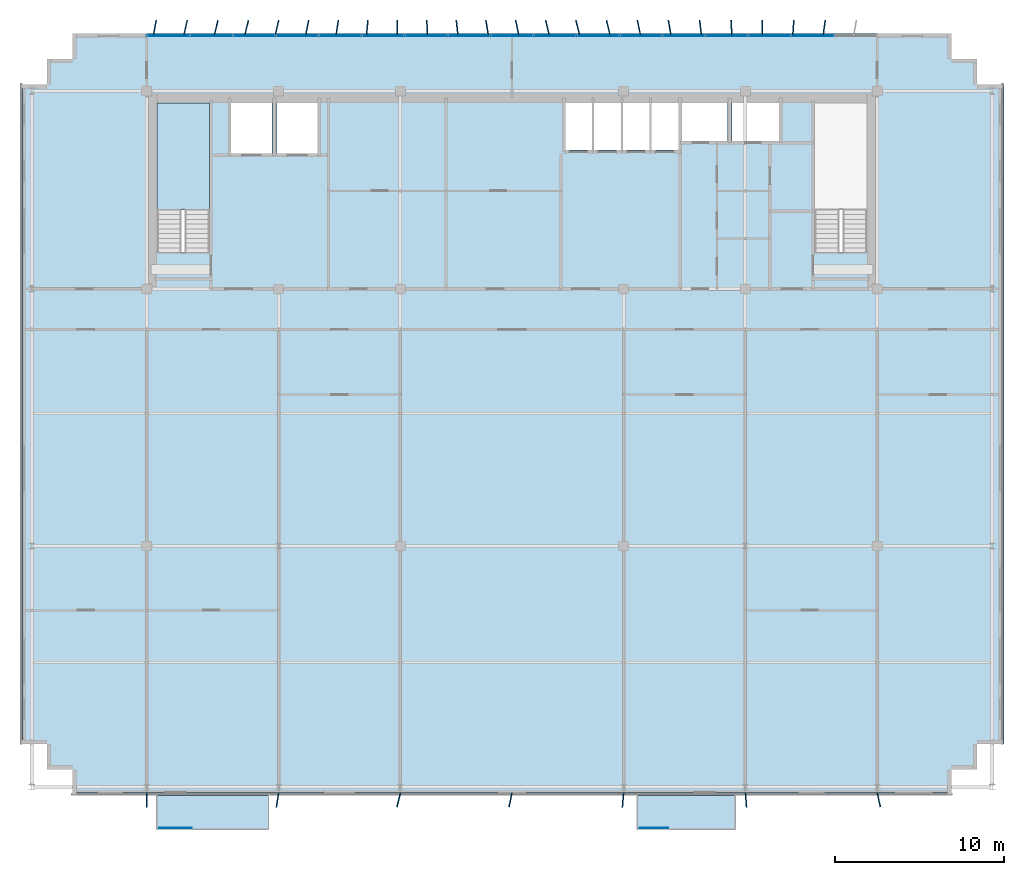
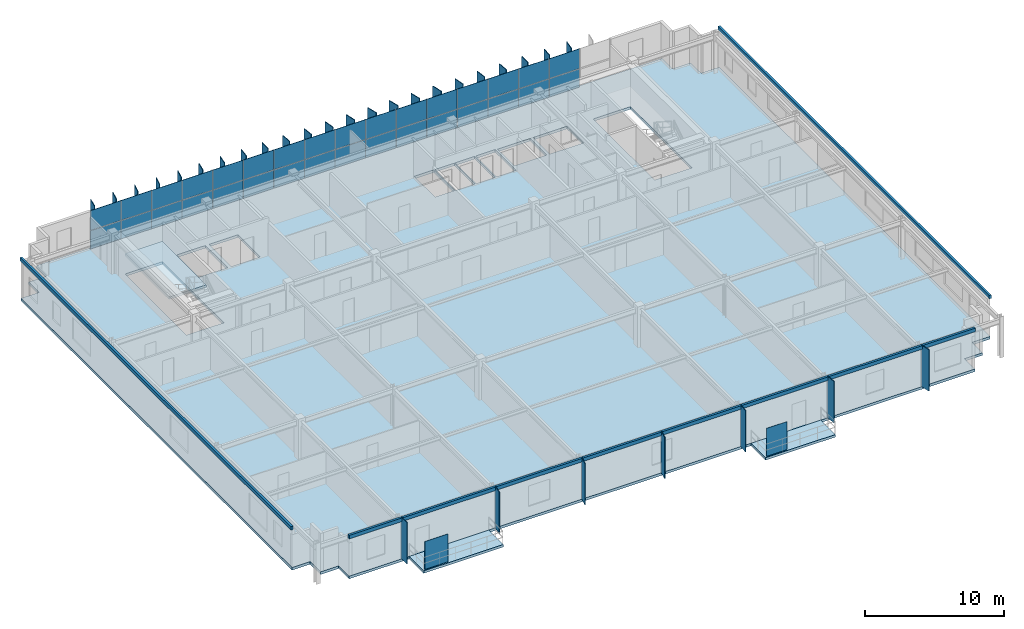
# One storey, part 15 of 21: 67 plates, 4 slabs, 2 elements without a shape of their own.
"""IFC4 building model written with IfcOpenShell, lengths in metres."""

from ifc_helpers import new_model, si_unit, direction, frame, origin, origin_2d, place, context, subcontext, project, spatial, polyline, rectangle, outline, extrude, source, transform, mapped, material, layer, layer_set, type_object, element, aggregate, save


model = new_model("IFC4")

# Units and contexts
model_context = context("Model", 3, precision=1e-05, world=origin(), true_north=direction((0.0, 1.0)))
body_context = subcontext(model_context, "Body", "Model", "MODEL_VIEW")
ifc_project = project(units=[si_unit("LENGTHUNIT", "METRE"), si_unit("AREAUNIT", "SQUARE_METRE"), si_unit("VOLUMEUNIT", "CUBIC_METRE"), si_unit("PLANEANGLEUNIT", "RADIAN"), si_unit("MASSUNIT", "GRAM", prefix="KILO")], contexts=[model_context])

# Site, building, storey
site_placement = place(None, origin())
site = spatial("IfcSite", under=ifc_project, at=site_placement, CompositionType="ELEMENT")
building_placement = place(site_placement, origin())
building = spatial("IfcBuilding", under=site, at=building_placement, Name="Trelvane Seafront Commons", CompositionType="ELEMENT")
storey_placement = place(building_placement, frame((0.0, 0.0, 255.89990234375)))
storey = spatial("IfcBuildingStorey", under=building, at=storey_placement, Name="L66", CompositionType="ELEMENT", Elevation=255.89990234375)

# Slabs
ifc_material_1 = material(Name="Concrete C40/50", Category="concrete")
ifc_layer_1 = layer(ifc_material_1, 0.219970703125, Name="ARCH-BALC-220")
ifc_layer_set_1 = layer_set([ifc_layer_1], Name="Concrete C40/50")
slab_type_1 = type_object("IfcSlabType", Name="ARCH-BALC-220", PredefinedType="FLOOR", material=ifc_layer_set_1)
slab_1_placement = place(storey_placement, frame((0.0, 0.0, -0.219970703125)))
element("IfcSlab", 1, at=slab_1_placement, inside=storey, type_object=slab_type_1, Name="L66 Cantilevered Tree Balcony Loggia 1", PredefinedType="FLOOR", context=body_context, shape_type="SweptSolid", body=[
    extrude(outline(polyline([(16.199951171875, 1.39990234375), (22.800048828125, 1.39990234375), (22.800048828125, 3.5), (16.199951171875, 3.5), (16.199951171875, 1.39990234375)])), origin(), (0.0, 0.0, 1.0), 0.219970703125),
])
slab_2_placement = place(storey_placement, frame((0.0, 0.0, -0.219970703125)))
element("IfcSlab", 2, at=slab_2_placement, inside=storey, type_object=slab_type_1, Name="L66 Cantilevered Tree Balcony Loggia 2", PredefinedType="FLOOR", context=body_context, shape_type="SweptSolid", body=[
    extrude(outline(polyline([(44.60009765625, 1.39990234375), (50.39990234375, 1.39990234375), (50.39990234375, 3.5), (44.60009765625, 3.5), (44.60009765625, 1.39990234375)])), origin(), (0.0, 0.0, 1.0), 0.219970703125),
])

# Stair, slab
stair_type = type_object("IfcStairType", Name="ARCH-STR-ST-1-R20-180", PredefinedType="HALF_TURN_STAIR", material=ifc_material_1)
stair_placement = place(storey_placement, origin())
stair = element("IfcStair", 3, at=stair_placement, inside=storey, type_object=stair_type, Name="L66 West Protected Firefighting Exit Stair ST-1", PredefinedType="HALF_TURN_STAIR")
ifc_layer_2 = layer(ifc_material_1, 0.199951171875, Name="ARCH-LND-200")
ifc_layer_set_2 = layer_set([ifc_layer_2], Name="Concrete C40/50")
slab_type_2 = type_object("IfcSlabType", Name="ARCH-LND-200", PredefinedType="LANDING", material=ifc_layer_set_2)
slab_3_placement = place(storey_placement, frame((0.0, 0.0, 1.60009765625)))
slab_3 = element("IfcSlab", 4, at=slab_3_placement, type_object=slab_type_2, Name="ST-1 landing 1", PredefinedType="LANDING", context=body_context, shape_type="SweptSolid", body=[
    extrude(outline(polyline([(19.300048828125, 38.070068359375), (19.300048828125, 44.39990234375), (16.199951171875, 44.39990234375), (16.199951171875, 38.070068359375), (19.300048828125, 38.070068359375)])), origin(), (0.0, 0.0, 1.0), 0.199951171875),
])
aggregate(stair, [slab_3])

# Slab
ifc_material_2 = material(Name="Concrete C50/60", Category="concrete")
ifc_layer_3 = layer(ifc_material_2, 0.22998046875, Name="STR-SLB-Z5-230")
ifc_layer_set_3 = layer_set([ifc_layer_3], Name="Concrete C50/60")
slab_type_3 = type_object("IfcSlabType", Name="STR-SLB-Z5-230", PredefinedType="FLOOR", material=ifc_layer_set_3)
slab_4_placement = place(storey_placement, frame((0.0, 0.0, -0.22998046875)))
element("IfcSlab", 5, at=slab_4_placement, inside=storey, type_object=slab_type_3, Name="L66 Structural Floor Slab", PredefinedType="FLOOR", context=body_context, shape_type="SweptSolid", body=[
    extrude(outline(polyline([(11.199951171875, 3.5), (63.199951171875, 3.5), (63.199951171875, 5.0), (64.699951171875, 5.0), (64.699951171875, 6.5), (66.199951171875, 6.5), (66.199951171875, 45.5), (64.699951171875, 45.5), (64.699951171875, 47.0), (63.199951171875, 47.0), (63.199951171875, 48.5), (11.199951171875, 48.5), (11.199951171875, 47.0), (9.699951171875, 47.0), (9.699951171875, 45.5), (8.199951171875, 45.5), (8.199951171875, 6.5), (9.699951171875, 6.5), (9.699951171875, 5.0), (11.199951171875, 5.0), (11.199951171875, 3.5)]), holes=[polyline([(19.300048828125, 35.550048828125), (16.199951171875, 35.550048828125), (16.199951171875, 44.39990234375), (19.300048828125, 44.39990234375), (19.300048828125, 35.550048828125)]), polyline([(58.199951171875, 35.550048828125), (55.10009765625, 35.550048828125), (55.10009765625, 44.39990234375), (58.199951171875, 44.39990234375), (58.199951171875, 35.550048828125)]), polyline([(23.0, 41.39990234375), (20.60009765625, 41.39990234375), (20.60009765625, 44.60009765625), (23.0, 44.60009765625), (23.0, 41.39990234375)]), polyline([(23.300048828125, 41.39990234375), (23.300048828125, 44.60009765625), (25.699951171875, 44.60009765625), (25.699951171875, 41.39990234375), (23.300048828125, 41.39990234375)]), polyline([(40.35009765625, 41.60009765625), (40.35009765625, 44.60009765625), (41.969970703125, 44.60009765625), (41.969970703125, 41.60009765625), (40.35009765625, 41.60009765625)]), polyline([(43.669921875, 41.60009765625), (42.050048828125, 41.60009765625), (42.050048828125, 44.60009765625), (43.669921875, 44.60009765625), (43.669921875, 41.60009765625)]), polyline([(45.3701171875, 41.60009765625), (43.75, 41.60009765625), (43.75, 44.60009765625), (45.3701171875, 44.60009765625), (45.3701171875, 41.60009765625)]), polyline([(47.070068359375, 41.60009765625), (45.449951171875, 41.60009765625), (45.449951171875, 44.60009765625), (47.070068359375, 44.60009765625), (47.070068359375, 41.60009765625)]), polyline([(47.25, 42.14990234375), (47.25, 44.550048828125), (49.949951171875, 44.550048828125), (49.949951171875, 42.14990234375), (47.25, 42.14990234375)]), polyline([(50.199951171875, 42.14990234375), (50.199951171875, 44.550048828125), (53.0, 44.550048828125), (53.0, 42.14990234375), (50.199951171875, 42.14990234375)])]), origin(), (0.0, 0.0, 1.0), 0.22998046875),
])

# Plates
ifc_material_3 = material(Name="Perforated anodised aluminium screen", Category="aluminium")
ifc_layer_4 = layer(ifc_material_3, 0.01611328125, Name="ARCH-PLATE-SCREEN")
ifc_layer_set_4 = layer_set([ifc_layer_4], Name="Perforated anodised aluminium screen")
plate_type_1 = type_object("IfcPlateType", Name="ARCH-PLATE-SCREEN", PredefinedType="USERDEFINED", material=ifc_layer_set_4)
shared_shape_1 = source(origin(), body_context, "Body", "SweptSolid", [
    extrude(rectangle(XDim=1.9140625, YDim=0.01611328125, at=origin_2d()), origin(), (0.0, 0.0, 1.0), 2.449951171875),
])
plate_1_placement = place(storey_placement, frame((17.306884765625, 1.52001953125, 0.0), z_axis=(0.0, 0.0, 1.0), x_axis=(1.0, 0.0, 0.0)))
element("IfcPlate", 6, at=plate_1_placement, inside=storey, type_object=plate_type_1, Name="SCR-L66-00229", ObjectType="SCREEN", PredefinedType="USERDEFINED", context=body_context, shape_type="MappedRepresentation", body=[
    mapped(shared_shape_1, transform((0.0, 0.0, 0.0), x_axis=(1.0, 0.0, 0.0), y_axis=(0.0, 1.0, 0.0), z_axis=(0.0, 0.0, 1.0), scale=1.0)),
])
shared_shape_2 = source(origin(), body_context, "Body", "SweptSolid", [
    extrude(rectangle(XDim=1.681884765625, YDim=0.01611328125, at=origin_2d()), origin(), (0.0, 0.0, 1.0), 2.449951171875),
])
plate_2_placement = place(storey_placement, frame((45.591064453125, 1.52001953125, 0.0), z_axis=(0.0, 0.0, 1.0), x_axis=(1.0, 0.0, 0.0)))
element("IfcPlate", 7, at=plate_2_placement, inside=storey, type_object=plate_type_1, Name="SCR-L66-00230", ObjectType="SCREEN", PredefinedType="USERDEFINED", context=body_context, shape_type="MappedRepresentation", body=[
    mapped(shared_shape_2, transform((0.0, 0.0, 0.0), x_axis=(1.0, 0.0, 0.0), y_axis=(0.0, 1.0, 0.0), z_axis=(0.0, 0.0, 1.0), scale=1.0)),
])
ifc_material_4 = material(Name="Anodised pale-silver aluminium", Category="aluminium")
ifc_layer_5 = layer(ifc_material_4, 0.06005859375, Name="ARCH-PLATE-FIN900")
ifc_layer_set_5 = layer_set([ifc_layer_5], Name="Anodised pale-silver aluminium")
plate_type_2 = type_object("IfcPlateType", Name="ARCH-PLATE-FIN900", PredefinedType="USERDEFINED", material=ifc_layer_set_5)
shared_shape_3 = source(origin(), body_context, "Body", "SweptSolid", [
    extrude(rectangle(XDim=0.89990234375, YDim=0.06005859375, at=origin_2d()), origin(), (0.0, 0.0, 1.0), 3.639892578125),
])
for number, where, z_axis, x_axis, name in (
    (8, (16.08251953125, 48.84228515625, -0.02001953125), (0.0, 0.0, 1.0), (0.183107234354, 0.983092946128, 0.0), "FIN-L66-01818"),
    (9, (17.8984375, 48.839111328125, -0.02001953125), (0.0, 0.0, 1.0), (0.21888240924, 0.975751244388, 0.0), "FIN-L66-01819"),
    (10, (19.707275390625, 48.8369140625, -0.02001953125), (0.0, 0.0, 1.0), (0.238455489153, 0.971153427473, 0.0), "FIN-L66-01820"),
    (11, (21.50830078125, 48.836669921875, -0.02001953125), (0.0, 0.0, 1.0), (0.240678679058, 0.970604849281, 0.0), "FIN-L66-01821"),
    (12, (23.301513671875, 48.83837890625, -0.02001953125), (0.0, 0.0, 1.0), (0.225345574298, 0.974278898542, 0.0), "FIN-L66-01822"),
    (13, (25.0869140625, 48.841552734375, -0.02001953125), (0.0, 0.0, 1.0), (0.193445015069, 0.981111118144, 0.0), "FIN-L66-01823"),
    (14, (26.8662109375, 48.84521484375, -0.02001953125), (0.0, 0.0, 1.0), (0.147112006483, 0.989119839832, 0.0), "FIN-L66-01824"),
    (15, (28.640380859375, 48.84814453125, -0.02001953125), (0.0, 0.0, 1.0), (0.089553138402, 0.995982045723, 0.0), "FIN-L66-01825"),
    (16, (30.4111328125, 48.849853515625, -0.02001953125), (0.0, 0.0, 1.0), (0.025000981658, 0.999687426607, 0.0), "FIN-L66-01826"),
    (17, (32.181396484375, 48.849609375, -0.02001953125), (0.0, 0.0, 1.0), (-0.041444931671, 0.999140789698, 0.0), "FIN-L66-01827"),
    (18, (35.72802734375, 48.84423828125, -0.02001953125), (0.0, 0.0, 1.0), (-0.159893247824, 0.987134311682, 0.0), "FIN-L66-01829"),
    (19, (37.5087890625, 48.840576171875, -0.02001953125), (0.0, 0.0, 1.0), (-0.202884711127, 0.979202631732, 0.0), "FIN-L66-01830"),
    (20, (39.296142578125, 48.837890625, -0.02001953125), (0.0, 0.0, 1.0), (-0.230780034881, 0.973005948337, 0.0), "FIN-L66-01831"),
    (21, (41.09130859375, 48.836669921875, -0.02001953125), (0.0, 0.0, 1.0), (-0.241777946669, 0.970331605434, 0.0), "FIN-L66-01832"),
    (22, (44.704833984375, 48.83984375, -0.02001953125), (0.0, 0.0, 1.0), (-0.211326502368, 0.977415525453, 0.0), "FIN-L66-01834"),
    (23, (46.522705078125, 48.84326171875, -0.02001953125), (0.0, 0.0, 1.0), (-0.171889555318, 0.985116227037, 0.0), "FIN-L66-01835"),
    (24, (48.34619140625, 48.8466796875, -0.02001953125), (0.0, 0.0, 1.0), (-0.119438535738, 0.992841596722, 0.0), "FIN-L66-01836"),
    (25, (50.174072265625, 48.84912109375, -0.02001953125), (0.0, 0.0, 1.0), (-0.057888116863, 0.998323076928, 0.0), "FIN-L66-01837"),
    (26, (52.003662109375, 48.85009765625, -0.02001953125), (0.0, 0.0, 1.0), (0.008333850707, 0.999965272863, 0.0), "FIN-L66-01838"),
    (27, (53.833251953125, 48.8486328125, -0.02001953125), (0.0, 0.0, 1.0), (0.073892662752, 0.997266200366, 0.0), "FIN-L66-01839"),
    (28, (55.66015625, 48.845947265625, -0.02001953125), (0.0, 0.0, 1.0), (0.133560693458, 0.991040635475, 0.0), "FIN-L66-01840"),
):
    element("IfcPlate", number, at=place(storey_placement, frame(where, z_axis=z_axis, x_axis=x_axis)), inside=storey, type_object=plate_type_2, Name=name, ObjectType="FIN", PredefinedType="USERDEFINED", context=body_context, shape_type="MappedRepresentation", body=[
        mapped(shared_shape_3, transform((0.0, 0.0, 0.0), x_axis=(1.0, 0.0, 0.0), y_axis=(0.0, 1.0, 0.0), z_axis=(0.0, 0.0, 1.0), scale=1.0)),
    ])
shared_shape_4 = source(origin(), body_context, "Body", "SweptSolid", [
    extrude(rectangle(XDim=0.900146484375, YDim=0.06005859375, at=origin_2d()), origin(), (0.0, 0.0, 1.0), 3.639892578125),
])
for number, where, z_axis, x_axis, name in (
    (29, (33.952880859375, 48.847412109375, -0.02001953125), (0.0, 0.0, 1.0), (-0.104771467687, 0.994496324558, 0.0), "FIN-L66-01828"),
    (30, (42.89404296875, 48.83740234375, -0.02001953125), (0.0, 0.0, 1.0), (-0.235208271844, 0.971944992711, 0.0), "FIN-L66-01833"),
):
    element("IfcPlate", number, at=place(storey_placement, frame(where, z_axis=z_axis, x_axis=x_axis)), inside=storey, type_object=plate_type_2, Name=name, ObjectType="FIN", PredefinedType="USERDEFINED", context=body_context, shape_type="MappedRepresentation", body=[
        mapped(shared_shape_4, transform((0.0, 0.0, 0.0), x_axis=(1.0, 0.0, 0.0), y_axis=(0.0, 1.0, 0.0), z_axis=(0.0, 0.0, 1.0), scale=1.0)),
    ])
shared_shape_5 = source(origin(), body_context, "Body", "SweptSolid", [
    extrude(rectangle(XDim=0.85009765625, YDim=0.06005859375, at=origin_2d()), origin(), (0.0, 0.0, 1.0), 3.639892578125),
])
for number, where, z_axis, x_axis, name in (
    (31, (15.601806640625, 3.175048828125, -0.02001953125), (0.0, 0.0, 1.0), (0.004235901427, -0.999991028529, 0.0), "FIN-S-L66-01842"),
    (32, (23.334716796875, 3.18017578125, -0.02001953125), (0.0, 0.0, 1.0), (-0.153532569338, -0.988143587821, 0.0), "FIN-S-L66-01843"),
    (33, (30.4990234375, 3.187255859375, -0.02001953125), (0.0, 0.0, 1.0), (-0.237770657007, -0.971321324108, 0.0), "FIN-S-L66-01844"),
    (34, (37.110107421875, 3.1845703125, -0.02001953125), (0.0, 0.0, 1.0), (-0.211408385398, -0.977397817976, 0.0), "FIN-S-L66-01845"),
    (35, (43.763671875, 3.176513671875, -0.02001953125), (0.0, 0.0, 1.0), (-0.08564472343, -0.996325740583, 0.0), "FIN-S-L66-01846"),
    (36, (51.03466796875, 3.176513671875, -0.02001953125), (0.0, 0.0, 1.0), (0.081642796762, -0.996661654593, 0.0), "FIN-S-L66-01847"),
    (37, (58.888916015625, 3.184326171875, -0.02001953125), (0.0, 0.0, 1.0), (0.209287479479, -0.977854156269, 0.0), "FIN-S-L66-01848"),
):
    element("IfcPlate", number, at=place(storey_placement, frame(where, z_axis=z_axis, x_axis=x_axis)), inside=storey, type_object=plate_type_2, Name=name, ObjectType="FIN", PredefinedType="USERDEFINED", context=body_context, shape_type="MappedRepresentation", body=[
        mapped(shared_shape_5, transform((0.0, 0.0, 0.0), x_axis=(1.0, 0.0, 0.0), y_axis=(0.0, 1.0, 0.0), z_axis=(0.0, 0.0, 1.0), scale=1.0)),
    ])

# Curtain wall, plates
curtain_wall_type = type_object("IfcCurtainWallType", Name="ARCH-CW5-UPTOWER", PredefinedType="NOTDEFINED", material=ifc_material_4)
curtain_wall_placement = place(storey_placement, origin())
curtain_wall = element("IfcCurtainWall", 38, at=curtain_wall_placement, inside=storey, type_object=curtain_wall_type, Name="CW-L66-0110", PredefinedType="NOTDEFINED")
ifc_material_5 = material(Name="Low-E coastal double glazing", Category="glass")
ifc_layer_6 = layer(ifc_material_5, 0.033935546875, Name="ARCH-CW-GLAZ-34")
ifc_layer_set_6 = layer_set([ifc_layer_6], Name="Low-E coastal double glazing")
plate_type_3 = type_object("IfcPlateType", Name="ARCH-CW-GLAZ-34", PredefinedType="CURTAIN_PANEL", material=ifc_layer_set_6)
shared_shape_6 = source(origin(), body_context, "Body", "SweptSolid", [
    extrude(rectangle(XDim=2.51708984375, YDim=0.033935546875, at=origin_2d()), origin(), (0.0, 0.0, 1.0), 1.60009765625),
])
plate_3_placement = place(storey_placement, frame((16.87060546875, 48.3701171875, 0.0), z_axis=(0.0, 0.0, 1.0), x_axis=(1.0, 0.0, 0.0)))
plate_3 = element("IfcPlate", 39, at=plate_3_placement, type_object=plate_type_3, Name="CW-L66-0110-P00-1", PredefinedType="CURTAIN_PANEL", context=body_context, shape_type="MappedRepresentation", body=[
    mapped(shared_shape_6, transform((0.0, 0.0, 0.0), x_axis=(1.0, 0.0, 0.0), y_axis=(0.0, 1.0, 0.0), z_axis=(0.0, 0.0, 1.0), scale=1.0)),
])
plate_4_placement = place(storey_placement, frame((19.411865234375, 48.3701171875, 0.0), z_axis=(0.0, 0.0, 1.0), x_axis=(1.0, 0.0, 0.0)))
plate_4 = element("IfcPlate", 40, at=plate_4_placement, type_object=plate_type_3, Name="CW-L66-0110-P01-1", PredefinedType="CURTAIN_PANEL", context=body_context, shape_type="MappedRepresentation", body=[
    mapped(shared_shape_6, transform((0.0, 0.0, 0.0), x_axis=(1.0, 0.0, 0.0), y_axis=(0.0, 1.0, 0.0), z_axis=(0.0, 0.0, 1.0), scale=1.0)),
])
plate_5_placement = place(storey_placement, frame((21.952880859375, 48.3701171875, 0.0), z_axis=(0.0, 0.0, 1.0), x_axis=(1.0, 0.0, 0.0)))
plate_5 = element("IfcPlate", 41, at=plate_5_placement, type_object=plate_type_3, Name="CW-L66-0110-P02-1", PredefinedType="CURTAIN_PANEL", context=body_context, shape_type="MappedRepresentation", body=[
    mapped(shared_shape_6, transform((0.0, 0.0, 0.0), x_axis=(1.0, 0.0, 0.0), y_axis=(0.0, 1.0, 0.0), z_axis=(0.0, 0.0, 1.0), scale=1.0)),
])
plate_6_placement = place(storey_placement, frame((24.494140625, 48.3701171875, 0.0), z_axis=(0.0, 0.0, 1.0), x_axis=(1.0, 0.0, 0.0)))
plate_6 = element("IfcPlate", 42, at=plate_6_placement, type_object=plate_type_3, Name="CW-L66-0110-P03-1", PredefinedType="CURTAIN_PANEL", context=body_context, shape_type="MappedRepresentation", body=[
    mapped(shared_shape_6, transform((0.0, 0.0, 0.0), x_axis=(1.0, 0.0, 0.0), y_axis=(0.0, 1.0, 0.0), z_axis=(0.0, 0.0, 1.0), scale=1.0)),
])
plate_7_placement = place(storey_placement, frame((27.035400390625, 48.3701171875, 0.0), z_axis=(0.0, 0.0, 1.0), x_axis=(1.0, 0.0, 0.0)))
plate_7 = element("IfcPlate", 43, at=plate_7_placement, type_object=plate_type_3, Name="CW-L66-0110-P04-1", PredefinedType="CURTAIN_PANEL", context=body_context, shape_type="MappedRepresentation", body=[
    mapped(shared_shape_6, transform((0.0, 0.0, 0.0), x_axis=(1.0, 0.0, 0.0), y_axis=(0.0, 1.0, 0.0), z_axis=(0.0, 0.0, 1.0), scale=1.0)),
])
plate_8_placement = place(storey_placement, frame((29.576416015625, 48.3701171875, 0.0), z_axis=(0.0, 0.0, 1.0), x_axis=(1.0, 0.0, 0.0)))
plate_8 = element("IfcPlate", 44, at=plate_8_placement, type_object=plate_type_3, Name="CW-L66-0110-P05-1", PredefinedType="CURTAIN_PANEL", context=body_context, shape_type="MappedRepresentation", body=[
    mapped(shared_shape_6, transform((0.0, 0.0, 0.0), x_axis=(1.0, 0.0, 0.0), y_axis=(0.0, 1.0, 0.0), z_axis=(0.0, 0.0, 1.0), scale=1.0)),
])
plate_9_placement = place(storey_placement, frame((32.11767578125, 48.3701171875, 0.0), z_axis=(0.0, 0.0, 1.0), x_axis=(1.0, 0.0, 0.0)))
plate_9 = element("IfcPlate", 45, at=plate_9_placement, type_object=plate_type_3, Name="CW-L66-0110-P06-1", PredefinedType="CURTAIN_PANEL", context=body_context, shape_type="MappedRepresentation", body=[
    mapped(shared_shape_6, transform((0.0, 0.0, 0.0), x_axis=(1.0, 0.0, 0.0), y_axis=(0.0, 1.0, 0.0), z_axis=(0.0, 0.0, 1.0), scale=1.0)),
])
plate_10_placement = place(storey_placement, frame((34.65869140625, 48.3701171875, 0.0), z_axis=(0.0, 0.0, 1.0), x_axis=(1.0, 0.0, 0.0)))
plate_10 = element("IfcPlate", 46, at=plate_10_placement, type_object=plate_type_3, Name="CW-L66-0110-P07-1", PredefinedType="CURTAIN_PANEL", context=body_context, shape_type="MappedRepresentation", body=[
    mapped(shared_shape_6, transform((0.0, 0.0, 0.0), x_axis=(1.0, 0.0, 0.0), y_axis=(0.0, 1.0, 0.0), z_axis=(0.0, 0.0, 1.0), scale=1.0)),
])
plate_11_placement = place(storey_placement, frame((37.199951171875, 48.3701171875, 0.0), z_axis=(0.0, 0.0, 1.0), x_axis=(1.0, 0.0, 0.0)))
plate_11 = element("IfcPlate", 47, at=plate_11_placement, type_object=plate_type_3, Name="CW-L66-0110-P08-1", PredefinedType="CURTAIN_PANEL", context=body_context, shape_type="MappedRepresentation", body=[
    mapped(shared_shape_6, transform((0.0, 0.0, 0.0), x_axis=(1.0, 0.0, 0.0), y_axis=(0.0, 1.0, 0.0), z_axis=(0.0, 0.0, 1.0), scale=1.0)),
])
plate_12_placement = place(storey_placement, frame((39.7412109375, 48.3701171875, 0.0), z_axis=(0.0, 0.0, 1.0), x_axis=(1.0, 0.0, 0.0)))
plate_12 = element("IfcPlate", 48, at=plate_12_placement, type_object=plate_type_3, Name="CW-L66-0110-P09-1", PredefinedType="CURTAIN_PANEL", context=body_context, shape_type="MappedRepresentation", body=[
    mapped(shared_shape_6, transform((0.0, 0.0, 0.0), x_axis=(1.0, 0.0, 0.0), y_axis=(0.0, 1.0, 0.0), z_axis=(0.0, 0.0, 1.0), scale=1.0)),
])
plate_13_placement = place(storey_placement, frame((42.282470703125, 48.3701171875, 0.0), z_axis=(0.0, 0.0, 1.0), x_axis=(1.0, 0.0, 0.0)))
plate_13 = element("IfcPlate", 49, at=plate_13_placement, type_object=plate_type_3, Name="CW-L66-0110-P10-1", PredefinedType="CURTAIN_PANEL", context=body_context, shape_type="MappedRepresentation", body=[
    mapped(shared_shape_6, transform((0.0, 0.0, 0.0), x_axis=(1.0, 0.0, 0.0), y_axis=(0.0, 1.0, 0.0), z_axis=(0.0, 0.0, 1.0), scale=1.0)),
])
plate_14_placement = place(storey_placement, frame((44.823486328125, 48.3701171875, 0.0), z_axis=(0.0, 0.0, 1.0), x_axis=(1.0, 0.0, 0.0)))
plate_14 = element("IfcPlate", 50, at=plate_14_placement, type_object=plate_type_3, Name="CW-L66-0110-P11-1", PredefinedType="CURTAIN_PANEL", context=body_context, shape_type="MappedRepresentation", body=[
    mapped(shared_shape_6, transform((0.0, 0.0, 0.0), x_axis=(1.0, 0.0, 0.0), y_axis=(0.0, 1.0, 0.0), z_axis=(0.0, 0.0, 1.0), scale=1.0)),
])
plate_15_placement = place(storey_placement, frame((47.36474609375, 48.3701171875, 0.0), z_axis=(0.0, 0.0, 1.0), x_axis=(1.0, 0.0, 0.0)))
plate_15 = element("IfcPlate", 51, at=plate_15_placement, type_object=plate_type_3, Name="CW-L66-0110-P12-1", PredefinedType="CURTAIN_PANEL", context=body_context, shape_type="MappedRepresentation", body=[
    mapped(shared_shape_6, transform((0.0, 0.0, 0.0), x_axis=(1.0, 0.0, 0.0), y_axis=(0.0, 1.0, 0.0), z_axis=(0.0, 0.0, 1.0), scale=1.0)),
])
plate_16_placement = place(storey_placement, frame((49.906005859375, 48.3701171875, 0.0), z_axis=(0.0, 0.0, 1.0), x_axis=(1.0, 0.0, 0.0)))
plate_16 = element("IfcPlate", 52, at=plate_16_placement, type_object=plate_type_3, Name="CW-L66-0110-P13-1", PredefinedType="CURTAIN_PANEL", context=body_context, shape_type="MappedRepresentation", body=[
    mapped(shared_shape_6, transform((0.0, 0.0, 0.0), x_axis=(1.0, 0.0, 0.0), y_axis=(0.0, 1.0, 0.0), z_axis=(0.0, 0.0, 1.0), scale=1.0)),
])
plate_17_placement = place(storey_placement, frame((52.447021484375, 48.3701171875, 0.0), z_axis=(0.0, 0.0, 1.0), x_axis=(1.0, 0.0, 0.0)))
plate_17 = element("IfcPlate", 53, at=plate_17_placement, type_object=plate_type_3, Name="CW-L66-0110-P14-1", PredefinedType="CURTAIN_PANEL", context=body_context, shape_type="MappedRepresentation", body=[
    mapped(shared_shape_6, transform((0.0, 0.0, 0.0), x_axis=(1.0, 0.0, 0.0), y_axis=(0.0, 1.0, 0.0), z_axis=(0.0, 0.0, 1.0), scale=1.0)),
])
plate_18_placement = place(storey_placement, frame((54.98828125, 48.3701171875, 0.0), z_axis=(0.0, 0.0, 1.0), x_axis=(1.0, 0.0, 0.0)))
plate_18 = element("IfcPlate", 54, at=plate_18_placement, type_object=plate_type_3, Name="CW-L66-0110-P15-1", PredefinedType="CURTAIN_PANEL", context=body_context, shape_type="MappedRepresentation", body=[
    mapped(shared_shape_6, transform((0.0, 0.0, 0.0), x_axis=(1.0, 0.0, 0.0), y_axis=(0.0, 1.0, 0.0), z_axis=(0.0, 0.0, 1.0), scale=1.0)),
])
shared_shape_7 = source(origin(), body_context, "Body", "SweptSolid", [
    extrude(rectangle(XDim=2.51708984375, YDim=0.033935546875, at=origin_2d()), origin(), (0.0, 0.0, 1.0), 1.73388671875),
])
plate_19_placement = place(storey_placement, frame((16.87060546875, 48.3701171875, 1.63623046875), z_axis=(0.0, 0.0, 1.0), x_axis=(1.0, 0.0, 0.0)))
plate_19 = element("IfcPlate", 55, at=plate_19_placement, type_object=plate_type_3, Name="CW-L66-0110-P00-2", PredefinedType="CURTAIN_PANEL", context=body_context, shape_type="MappedRepresentation", body=[
    mapped(shared_shape_7, transform((0.0, 0.0, 0.0), x_axis=(1.0, 0.0, 0.0), y_axis=(0.0, 1.0, 0.0), z_axis=(0.0, 0.0, 1.0), scale=1.0)),
])
plate_20_placement = place(storey_placement, frame((19.411865234375, 48.3701171875, 1.63623046875), z_axis=(0.0, 0.0, 1.0), x_axis=(1.0, 0.0, 0.0)))
plate_20 = element("IfcPlate", 56, at=plate_20_placement, type_object=plate_type_3, Name="CW-L66-0110-P01-2", PredefinedType="CURTAIN_PANEL", context=body_context, shape_type="MappedRepresentation", body=[
    mapped(shared_shape_7, transform((0.0, 0.0, 0.0), x_axis=(1.0, 0.0, 0.0), y_axis=(0.0, 1.0, 0.0), z_axis=(0.0, 0.0, 1.0), scale=1.0)),
])
plate_21_placement = place(storey_placement, frame((21.952880859375, 48.3701171875, 1.63623046875), z_axis=(0.0, 0.0, 1.0), x_axis=(1.0, 0.0, 0.0)))
plate_21 = element("IfcPlate", 57, at=plate_21_placement, type_object=plate_type_3, Name="CW-L66-0110-P02-2", PredefinedType="CURTAIN_PANEL", context=body_context, shape_type="MappedRepresentation", body=[
    mapped(shared_shape_7, transform((0.0, 0.0, 0.0), x_axis=(1.0, 0.0, 0.0), y_axis=(0.0, 1.0, 0.0), z_axis=(0.0, 0.0, 1.0), scale=1.0)),
])
plate_22_placement = place(storey_placement, frame((24.494140625, 48.3701171875, 1.63623046875), z_axis=(0.0, 0.0, 1.0), x_axis=(1.0, 0.0, 0.0)))
plate_22 = element("IfcPlate", 58, at=plate_22_placement, type_object=plate_type_3, Name="CW-L66-0110-P03-2", PredefinedType="CURTAIN_PANEL", context=body_context, shape_type="MappedRepresentation", body=[
    mapped(shared_shape_7, transform((0.0, 0.0, 0.0), x_axis=(1.0, 0.0, 0.0), y_axis=(0.0, 1.0, 0.0), z_axis=(0.0, 0.0, 1.0), scale=1.0)),
])
plate_23_placement = place(storey_placement, frame((27.035400390625, 48.3701171875, 1.63623046875), z_axis=(0.0, 0.0, 1.0), x_axis=(1.0, 0.0, 0.0)))
plate_23 = element("IfcPlate", 59, at=plate_23_placement, type_object=plate_type_3, Name="CW-L66-0110-P04-2", PredefinedType="CURTAIN_PANEL", context=body_context, shape_type="MappedRepresentation", body=[
    mapped(shared_shape_7, transform((0.0, 0.0, 0.0), x_axis=(1.0, 0.0, 0.0), y_axis=(0.0, 1.0, 0.0), z_axis=(0.0, 0.0, 1.0), scale=1.0)),
])
plate_24_placement = place(storey_placement, frame((29.576416015625, 48.3701171875, 1.63623046875), z_axis=(0.0, 0.0, 1.0), x_axis=(1.0, 0.0, 0.0)))
plate_24 = element("IfcPlate", 60, at=plate_24_placement, type_object=plate_type_3, Name="CW-L66-0110-P05-2", PredefinedType="CURTAIN_PANEL", context=body_context, shape_type="MappedRepresentation", body=[
    mapped(shared_shape_7, transform((0.0, 0.0, 0.0), x_axis=(1.0, 0.0, 0.0), y_axis=(0.0, 1.0, 0.0), z_axis=(0.0, 0.0, 1.0), scale=1.0)),
])
plate_25_placement = place(storey_placement, frame((32.11767578125, 48.3701171875, 1.63623046875), z_axis=(0.0, 0.0, 1.0), x_axis=(1.0, 0.0, 0.0)))
plate_25 = element("IfcPlate", 61, at=plate_25_placement, type_object=plate_type_3, Name="CW-L66-0110-P06-2", PredefinedType="CURTAIN_PANEL", context=body_context, shape_type="MappedRepresentation", body=[
    mapped(shared_shape_7, transform((0.0, 0.0, 0.0), x_axis=(1.0, 0.0, 0.0), y_axis=(0.0, 1.0, 0.0), z_axis=(0.0, 0.0, 1.0), scale=1.0)),
])
plate_26_placement = place(storey_placement, frame((34.65869140625, 48.3701171875, 1.63623046875), z_axis=(0.0, 0.0, 1.0), x_axis=(1.0, 0.0, 0.0)))
plate_26 = element("IfcPlate", 62, at=plate_26_placement, type_object=plate_type_3, Name="CW-L66-0110-P07-2", PredefinedType="CURTAIN_PANEL", context=body_context, shape_type="MappedRepresentation", body=[
    mapped(shared_shape_7, transform((0.0, 0.0, 0.0), x_axis=(1.0, 0.0, 0.0), y_axis=(0.0, 1.0, 0.0), z_axis=(0.0, 0.0, 1.0), scale=1.0)),
])
plate_27_placement = place(storey_placement, frame((37.199951171875, 48.3701171875, 1.63623046875), z_axis=(0.0, 0.0, 1.0), x_axis=(1.0, 0.0, 0.0)))
plate_27 = element("IfcPlate", 63, at=plate_27_placement, type_object=plate_type_3, Name="CW-L66-0110-P08-2", PredefinedType="CURTAIN_PANEL", context=body_context, shape_type="MappedRepresentation", body=[
    mapped(shared_shape_7, transform((0.0, 0.0, 0.0), x_axis=(1.0, 0.0, 0.0), y_axis=(0.0, 1.0, 0.0), z_axis=(0.0, 0.0, 1.0), scale=1.0)),
])
plate_28_placement = place(storey_placement, frame((39.7412109375, 48.3701171875, 1.63623046875), z_axis=(0.0, 0.0, 1.0), x_axis=(1.0, 0.0, 0.0)))
plate_28 = element("IfcPlate", 64, at=plate_28_placement, type_object=plate_type_3, Name="CW-L66-0110-P09-2", PredefinedType="CURTAIN_PANEL", context=body_context, shape_type="MappedRepresentation", body=[
    mapped(shared_shape_7, transform((0.0, 0.0, 0.0), x_axis=(1.0, 0.0, 0.0), y_axis=(0.0, 1.0, 0.0), z_axis=(0.0, 0.0, 1.0), scale=1.0)),
])
plate_29_placement = place(storey_placement, frame((42.282470703125, 48.3701171875, 1.63623046875), z_axis=(0.0, 0.0, 1.0), x_axis=(1.0, 0.0, 0.0)))
plate_29 = element("IfcPlate", 65, at=plate_29_placement, type_object=plate_type_3, Name="CW-L66-0110-P10-2", PredefinedType="CURTAIN_PANEL", context=body_context, shape_type="MappedRepresentation", body=[
    mapped(shared_shape_7, transform((0.0, 0.0, 0.0), x_axis=(1.0, 0.0, 0.0), y_axis=(0.0, 1.0, 0.0), z_axis=(0.0, 0.0, 1.0), scale=1.0)),
])
plate_30_placement = place(storey_placement, frame((44.823486328125, 48.3701171875, 1.63623046875), z_axis=(0.0, 0.0, 1.0), x_axis=(1.0, 0.0, 0.0)))
plate_30 = element("IfcPlate", 66, at=plate_30_placement, type_object=plate_type_3, Name="CW-L66-0110-P11-2", PredefinedType="CURTAIN_PANEL", context=body_context, shape_type="MappedRepresentation", body=[
    mapped(shared_shape_7, transform((0.0, 0.0, 0.0), x_axis=(1.0, 0.0, 0.0), y_axis=(0.0, 1.0, 0.0), z_axis=(0.0, 0.0, 1.0), scale=1.0)),
])
plate_31_placement = place(storey_placement, frame((47.36474609375, 48.3701171875, 1.63623046875), z_axis=(0.0, 0.0, 1.0), x_axis=(1.0, 0.0, 0.0)))
plate_31 = element("IfcPlate", 67, at=plate_31_placement, type_object=plate_type_3, Name="CW-L66-0110-P12-2", PredefinedType="CURTAIN_PANEL", context=body_context, shape_type="MappedRepresentation", body=[
    mapped(shared_shape_7, transform((0.0, 0.0, 0.0), x_axis=(1.0, 0.0, 0.0), y_axis=(0.0, 1.0, 0.0), z_axis=(0.0, 0.0, 1.0), scale=1.0)),
])
plate_32_placement = place(storey_placement, frame((49.906005859375, 48.3701171875, 1.63623046875), z_axis=(0.0, 0.0, 1.0), x_axis=(1.0, 0.0, 0.0)))
plate_32 = element("IfcPlate", 68, at=plate_32_placement, type_object=plate_type_3, Name="CW-L66-0110-P13-2", PredefinedType="CURTAIN_PANEL", context=body_context, shape_type="MappedRepresentation", body=[
    mapped(shared_shape_7, transform((0.0, 0.0, 0.0), x_axis=(1.0, 0.0, 0.0), y_axis=(0.0, 1.0, 0.0), z_axis=(0.0, 0.0, 1.0), scale=1.0)),
])
plate_33_placement = place(storey_placement, frame((52.447021484375, 48.3701171875, 1.63623046875), z_axis=(0.0, 0.0, 1.0), x_axis=(1.0, 0.0, 0.0)))
plate_33 = element("IfcPlate", 69, at=plate_33_placement, type_object=plate_type_3, Name="CW-L66-0110-P14-2", PredefinedType="CURTAIN_PANEL", context=body_context, shape_type="MappedRepresentation", body=[
    mapped(shared_shape_7, transform((0.0, 0.0, 0.0), x_axis=(1.0, 0.0, 0.0), y_axis=(0.0, 1.0, 0.0), z_axis=(0.0, 0.0, 1.0), scale=1.0)),
])
plate_34_placement = place(storey_placement, frame((54.98828125, 48.3701171875, 1.63623046875), z_axis=(0.0, 0.0, 1.0), x_axis=(1.0, 0.0, 0.0)))
plate_34 = element("IfcPlate", 70, at=plate_34_placement, type_object=plate_type_3, Name="CW-L66-0110-P15-2", PredefinedType="CURTAIN_PANEL", context=body_context, shape_type="MappedRepresentation", body=[
    mapped(shared_shape_7, transform((0.0, 0.0, 0.0), x_axis=(1.0, 0.0, 0.0), y_axis=(0.0, 1.0, 0.0), z_axis=(0.0, 0.0, 1.0), scale=1.0)),
])
aggregate(curtain_wall, [plate_3, plate_19, plate_4, plate_20, plate_5, plate_21, plate_6, plate_22, plate_7, plate_23, plate_8, plate_24, plate_9, plate_25, plate_10, plate_26, plate_11, plate_27, plate_12, plate_28, plate_13, plate_29, plate_14, plate_30, plate_15, plate_31, plate_16, plate_32, plate_17, plate_33, plate_18, plate_34])

# Plates
ifc_layer_7 = layer(ifc_material_4, 0.179931640625, Name="ARCH-PLATE-AERO")
ifc_layer_set_7 = layer_set([ifc_layer_7], Name="Anodised pale-silver aluminium")
plate_type_4 = type_object("IfcPlateType", Name="ARCH-PLATE-AERO", PredefinedType="SHEET", material=ifc_layer_set_7)
shared_shape_8 = source(origin(), body_context, "Body", "SweptSolid", [
    extrude(rectangle(XDim=39.0, YDim=0.179931640625, at=origin_2d()), origin(), (0.0, 0.0, 1.0), 0.31005859375),
])
for number, where, z_axis, x_axis, name in (
    (71, (8.199951171875, 26.0, 3.31005859375), (0.0, 0.0, 1.0), (0.0, 1.0, 0.0), "AER-L66-00227"),
    (72, (66.199951171875, 26.0, 3.31005859375), (0.0, 0.0, 1.0), (0.0, -1.0, 0.0), "AER-L66-00228"),
):
    element("IfcPlate", number, at=place(storey_placement, frame(where, z_axis=z_axis, x_axis=x_axis)), inside=storey, type_object=plate_type_4, Name=name, PredefinedType="SHEET", context=body_context, shape_type="MappedRepresentation", body=[
        mapped(shared_shape_8, transform((0.0, 0.0, 0.0), x_axis=(1.0, 0.0, 0.0), y_axis=(0.0, 1.0, 0.0), z_axis=(0.0, 0.0, 1.0), scale=1.0)),
    ])
shared_shape_9 = source(origin(), body_context, "Body", "SweptSolid", [
    extrude(rectangle(XDim=52.0, YDim=0.179931640625, at=origin_2d()), origin(), (0.0, 0.0, 1.0), 0.31005859375),
])
plate_35_placement = place(storey_placement, frame((37.199951171875, 3.5400390625, 3.31005859375), z_axis=(0.0, 0.0, 1.0), x_axis=(-1.0, 0.0, 0.0)))
element("IfcPlate", 73, at=plate_35_placement, inside=storey, type_object=plate_type_4, Name="AER-S-L66-00231", PredefinedType="SHEET", context=body_context, shape_type="MappedRepresentation", body=[
    mapped(shared_shape_9, transform((0.0, 0.0, 0.0), x_axis=(1.0, 0.0, 0.0), y_axis=(0.0, 1.0, 0.0), z_axis=(0.0, 0.0, 1.0), scale=1.0)),
])

save(model, "model.ifc")
